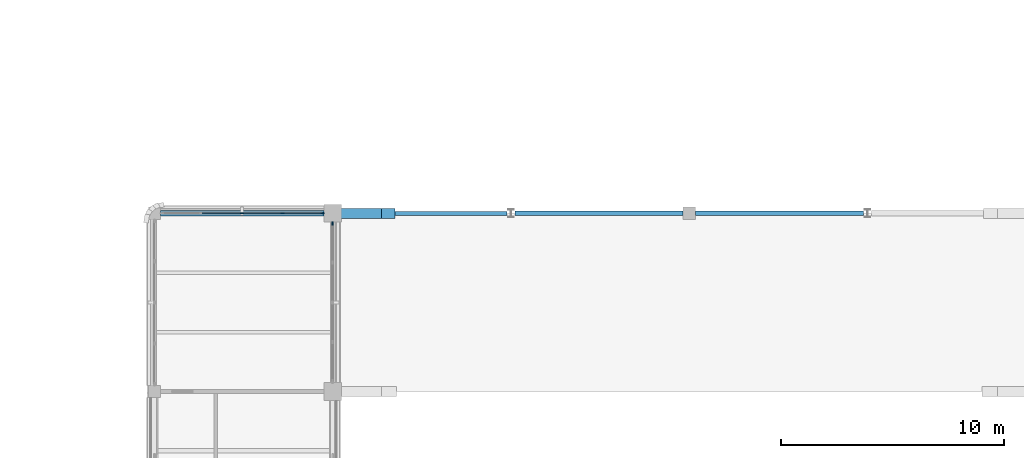
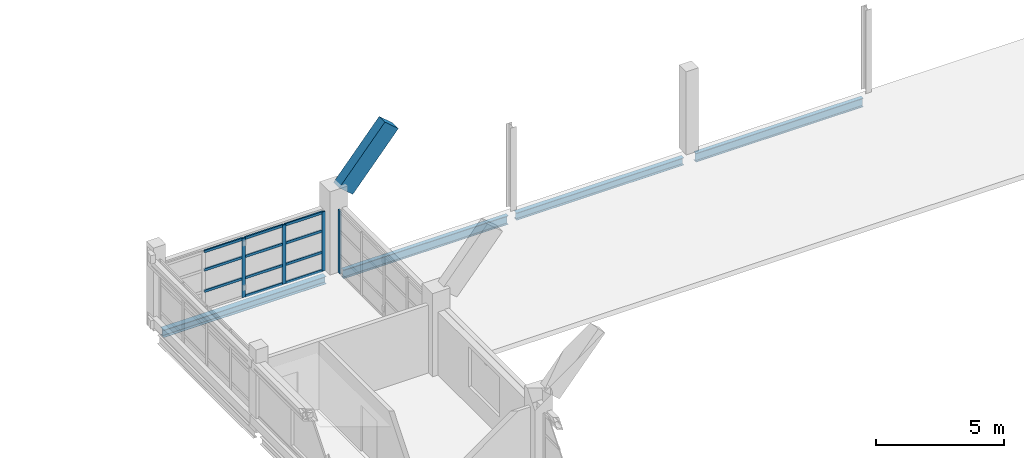
# One storey, part 31 of 92: 15 members, 5 beams, 2 elements without a shape of their own.
"""IFC4 building model written with IfcOpenShell, lengths in metres."""

from ifc_helpers import new_model, si_unit, derived_unit, direction, frame, origin, origin_2d, place, context, subcontext, project, spatial, rectangle, i_section, extrude, material, layer, layer_set, material_profile, profile_set, type_object, element, aggregate, save


model = new_model("IFC4")

# Units and contexts
model_context = context("Model", 3, precision=1e-05, world=origin(), true_north=direction((0.0, 1.0)))
body_context = subcontext(model_context, "Body", "Model", "MODEL_VIEW")
ifc_project = project(units=[si_unit("LENGTHUNIT", "METRE"), si_unit("AREAUNIT", "SQUARE_METRE"), si_unit("VOLUMEUNIT", "CUBIC_METRE"), si_unit("PLANEANGLEUNIT", "RADIAN"), si_unit("MASSUNIT", "GRAM", prefix="KILO"), derived_unit("THERMALTRANSMITTANCEUNIT", [(si_unit("MASSUNIT", "GRAM", prefix="KILO"), 1), (si_unit("TIMEUNIT", "SECOND"), -3), (si_unit("THERMODYNAMICTEMPERATUREUNIT", "KELVIN"), -1)])], contexts=[model_context])

# Site, building, storey
site_placement = place(None, origin())
site = spatial("IfcSite", under=ifc_project, at=site_placement, CompositionType="ELEMENT")
building_placement = place(site_placement, origin())
building = spatial("IfcBuilding", under=site, at=building_placement, Name="Veyamyaing Civic Hall", CompositionType="ELEMENT")
storey_placement = place(building_placement, frame((0.0, 0.0, 17.820068359375)))
storey = spatial("IfcBuildingStorey", under=building, at=storey_placement, Name="L04", CompositionType="ELEMENT", Elevation=17.820068359375)

# Beams
ifc_material_1 = material(Name="Steel ASTM A992", Category="steel")
ifc_material_profile_1 = material_profile(ifc_material_1, i_section(OverallWidth=0.179931640625, OverallDepth=0.4130859375, WebThickness=0.009765625, FlangeThickness=0.01611328125, FilletRadius=0.010009765625, at=origin_2d()), Name="W410X74")
ifc_profile_set_1 = profile_set([ifc_material_profile_1], Name="Steel ASTM A992")
beam_type_1 = type_object("IfcBeamType", Name="B-10", PredefinedType="SPANDREL", material=ifc_profile_set_1)
beam_1_placement = place(storey_placement, frame((72.39990234375, 80.0, -0.446533203125), z_axis=(1.0, 0.0, 0.0), x_axis=(0.0, 1.0, 0.0)))
element("IfcBeam", 1, at=beam_1_placement, inside=storey, type_object=beam_type_1, Name="Girder B-10 L04 Grid L 10-11", PredefinedType="SPANDREL", context=body_context, shape_type="SweptSolid", body=[
    extrude(i_section(OverallWidth=0.179931640625, OverallDepth=0.4130859375, WebThickness=0.009765625, FlangeThickness=0.01611328125, FilletRadius=0.010009765625, at=origin_2d()), origin(), (0.0, 0.0, 1.0), 7.41552734375),
])
ifc_material_profile_2 = material_profile(ifc_material_1, i_section(OverallWidth=0.2041015625, OverallDepth=0.35009765625, WebThickness=0.0078125, FlangeThickness=0.01513671875, FilletRadius=0.010009765625, at=origin_2d()), Name="W360X72")
ifc_profile_set_2 = profile_set([ifc_material_profile_2], Name="Steel ASTM A992")
beam_type_2 = type_object("IfcBeamType", Name="B-11", PredefinedType="SPANDREL", material=ifc_profile_set_2)
beam_2_placement = place(storey_placement, frame((80.1845703125, 80.0, -0.4150390625), z_axis=(1.0, 0.0, 0.0), x_axis=(0.0, 1.0, 0.0)))
element("IfcBeam", 2, at=beam_2_placement, inside=storey, type_object=beam_type_2, Name="Girder B-11 L04 Grid L 11-12", PredefinedType="SPANDREL", context=body_context, shape_type="SweptSolid", body=[
    extrude(i_section(OverallWidth=0.2041015625, OverallDepth=0.35009765625, WebThickness=0.0078125, FlangeThickness=0.01513671875, FilletRadius=0.010009765625, at=origin_2d()), origin(), (0.0, 0.0, 1.0), 7.54052734375),
])
ifc_material_profile_3 = material_profile(ifc_material_1, i_section(OverallWidth=0.180908203125, OverallDepth=0.4169921875, WebThickness=0.010986328125, FlangeThickness=0.018310546875, FilletRadius=0.010009765625, at=origin_2d()), Name="W410X85")
ifc_profile_set_3 = profile_set([ifc_material_profile_3], Name="Steel ASTM A992")
beam_type_3 = type_object("IfcBeamType", Name="B-19", PredefinedType="SPANDREL", material=ifc_profile_set_3)
beam_3_placement = place(storey_placement, frame((88.27490234375, 80.0, -0.448486328125), z_axis=(1.0, 0.0, 0.0), x_axis=(0.0, 1.0, 0.0)))
element("IfcBeam", 3, at=beam_3_placement, inside=storey, type_object=beam_type_3, Name="Girder B-19 L04 Grid L 12-13", PredefinedType="SPANDREL", context=body_context, shape_type="SweptSolid", body=[
    extrude(i_section(OverallWidth=0.180908203125, OverallDepth=0.4169921875, WebThickness=0.010986328125, FlangeThickness=0.018310546875, FilletRadius=0.010009765625, at=origin_2d()), origin(), (0.0, 0.0, 1.0), 7.54052734375),
])
ifc_material_profile_4 = material_profile(ifc_material_1, i_section(OverallWidth=0.25390625, OverallDepth=0.35302734375, WebThickness=0.009521484375, FlangeThickness=0.016357421875, FilletRadius=0.011962890625, at=origin_2d()), Name="W360X91")
ifc_profile_set_4 = profile_set([ifc_material_profile_4], Name="Steel ASTM A992")
beam_type_4 = type_object("IfcBeamType", Name="B-20", PredefinedType="SPANDREL", material=ifc_profile_set_4)
beam_4_placement = place(storey_placement, frame((64.27490234375, 80.0, -0.41162109375), z_axis=(1.0, 0.0, 0.0), x_axis=(0.0, 1.0, 0.0)))
element("IfcBeam", 4, at=beam_4_placement, inside=storey, type_object=beam_type_4, Name="Girder B-20 L04 Grid L 9-10", PredefinedType="SPANDREL", context=body_context, shape_type="SweptSolid", body=[
    extrude(i_section(OverallWidth=0.25390625, OverallDepth=0.35302734375, WebThickness=0.009521484375, FlangeThickness=0.016357421875, FilletRadius=0.011962890625, at=origin_2d()), origin(), (0.0, 0.0, 1.0), 7.3251953125),
])

# Curtain wall, members
ifc_material_2 = material(Name="Anodised aluminium 6063-T6", Category="aluminium")
ifc_layer = layer(ifc_material_2, 0.159912109375, Name="Anodised aluminium 6063-T6")
ifc_layer_set = layer_set([ifc_layer], Name="Anodised aluminium 6063-T6")
curtain_wall_type = type_object("IfcCurtainWallType", Name="CW-08", PredefinedType="NOTDEFINED", material=ifc_layer_set)
curtain_wall_1_placement = place(storey_placement, origin())
curtain_wall_1 = element("IfcCurtainWall", 5, at=curtain_wall_1_placement, inside=storey, type_object=curtain_wall_type, Name="Unitized curtain wall CW-08 L04 N 9.10", PredefinedType="NOTDEFINED")
ifc_material_profile_5 = material_profile(ifc_material_2, rectangle(XDim=0.06494140625, YDim=0.159912109375, at=origin_2d()), Name="ALU-MUL-65X160")
ifc_profile_set_5 = profile_set([ifc_material_profile_5], Name="Anodised aluminium 6063-T6")
member_type_1 = type_object("IfcMemberType", Name="CWM-01", PredefinedType="MULLION", material=ifc_profile_set_5)
member_1_placement = place(storey_placement, frame((67.9375, 80.0, 0.0), z_axis=(0.0, 0.0, 1.0), x_axis=(0.0, 1.0, 0.0)))
member_1 = element("IfcMember", 6, at=member_1_placement, type_object=member_type_1, Name="CW-08 mullion 3", PredefinedType="MULLION", context=body_context, shape_type="SweptSolid", body=[
    extrude(rectangle(XDim=0.06494140625, YDim=0.159912109375, at=origin_2d()), origin(), (0.0, 0.0, 1.0), 2.81689453125),
])
member_2_placement = place(storey_placement, frame((69.753662109375, 80.0, 0.0), z_axis=(0.0, 0.0, 1.0), x_axis=(0.0, 1.0, 0.0)))
member_2 = element("IfcMember", 7, at=member_2_placement, type_object=member_type_1, Name="CW-08 mullion 4", PredefinedType="MULLION", context=body_context, shape_type="SweptSolid", body=[
    extrude(rectangle(XDim=0.06494140625, YDim=0.159912109375, at=origin_2d()), origin(), (0.0, 0.0, 1.0), 2.81689453125),
])
member_3_placement = place(storey_placement, frame((71.53759765625, 80.0, 0.0), z_axis=(0.0, 0.0, 1.0), x_axis=(0.0, 1.0, 0.0)))
member_3 = element("IfcMember", 8, at=member_3_placement, type_object=member_type_1, Name="CW-08 mullion 5", PredefinedType="MULLION", context=body_context, shape_type="SweptSolid", body=[
    extrude(rectangle(XDim=0.06494140625, YDim=0.159912109375, at=origin_2d()), origin(), (0.0, 0.0, 1.0), 2.81689453125),
])

# Curtain wall, member
curtain_wall_2_placement = place(storey_placement, origin())
curtain_wall_2 = element("IfcCurtainWall", 9, at=curtain_wall_2_placement, inside=storey, type_object=curtain_wall_type, Name="Unitized curtain wall CW-08 L04 E 9.10", PredefinedType="NOTDEFINED")
member_4_placement = place(storey_placement, frame((72.0, 79.53759765625, 0.0), z_axis=(0.0, 0.0, 1.0), x_axis=(-1.0, 0.0, 0.0)))
member_4 = element("IfcMember", 10, at=member_4_placement, type_object=member_type_1, Name="CW-08 mullion 5", PredefinedType="MULLION", context=body_context, shape_type="SweptSolid", body=[
    extrude(rectangle(XDim=0.06494140625, YDim=0.159912109375, at=origin_2d()), origin(), (0.0, 0.0, 1.0), 3.001953125),
])
aggregate(curtain_wall_2, [member_4])

# Member
ifc_material_profile_6 = material_profile(ifc_material_2, rectangle(XDim=0.06494140625, YDim=0.1201171875, at=origin_2d()), Name="ALU-TRN-65X120")
ifc_profile_set_6 = profile_set([ifc_material_profile_6], Name="Anodised aluminium 6063-T6")
member_type_2 = type_object("IfcMemberType", Name="CWT-01", PredefinedType="USERDEFINED", material=ifc_profile_set_6)
member_5_placement = place(storey_placement, frame((66.15380859375, 80.0, 0.89990234375), z_axis=(1.0, 0.0, 0.0), x_axis=(0.0, 1.0, 0.0)))
member_5 = element("IfcMember", 11, at=member_5_placement, type_object=member_type_2, Name="CW-08 transom 2.2", ObjectType="TRANSOM", PredefinedType="USERDEFINED", context=body_context, shape_type="SweptSolid", body=[
    extrude(rectangle(XDim=0.06494140625, YDim=0.1201171875, at=origin_2d()), origin(), (0.0, 0.0, 1.0), 1.751220703125),
])

member_6_placement = place(storey_placement, frame((66.15380859375, 80.0, 1.91552734375), z_axis=(1.0, 0.0, 0.0), x_axis=(0.0, 1.0, 0.0)))
member_6 = element("IfcMember", 12, at=member_6_placement, type_object=member_type_2, Name="CW-08 transom 2.3", ObjectType="TRANSOM", PredefinedType="USERDEFINED", context=body_context, shape_type="SweptSolid", body=[
    extrude(rectangle(XDim=0.06494140625, YDim=0.1201171875, at=origin_2d()), origin(), (0.0, 0.0, 1.0), 1.751220703125),
])

member_7_placement = place(storey_placement, frame((66.15380859375, 80.0, 2.784423828125), z_axis=(1.0, 0.0, 0.0), x_axis=(0.0, 1.0, 0.0)))
member_7 = element("IfcMember", 13, at=member_7_placement, type_object=member_type_2, Name="CW-08 transom 2.4", ObjectType="TRANSOM", PredefinedType="USERDEFINED", context=body_context, shape_type="SweptSolid", body=[
    extrude(rectangle(XDim=0.06494140625, YDim=0.1201171875, at=origin_2d()), origin(), (0.0, 0.0, 1.0), 1.751220703125),
])

member_8_placement = place(storey_placement, frame((67.969970703125, 80.0, 0.032470703125), z_axis=(1.0, 0.0, 0.0), x_axis=(0.0, 1.0, 0.0)))
member_8 = element("IfcMember", 14, at=member_8_placement, type_object=member_type_2, Name="CW-08 transom 3.1", ObjectType="TRANSOM", PredefinedType="USERDEFINED", context=body_context, shape_type="SweptSolid", body=[
    extrude(rectangle(XDim=0.06494140625, YDim=0.1201171875, at=origin_2d()), origin(), (0.0, 0.0, 1.0), 1.751220703125),
])

member_9_placement = place(storey_placement, frame((67.969970703125, 80.0, 0.89990234375), z_axis=(1.0, 0.0, 0.0), x_axis=(0.0, 1.0, 0.0)))
member_9 = element("IfcMember", 15, at=member_9_placement, type_object=member_type_2, Name="CW-08 transom 3.2", ObjectType="TRANSOM", PredefinedType="USERDEFINED", context=body_context, shape_type="SweptSolid", body=[
    extrude(rectangle(XDim=0.06494140625, YDim=0.1201171875, at=origin_2d()), origin(), (0.0, 0.0, 1.0), 1.751220703125),
])

member_10_placement = place(storey_placement, frame((67.969970703125, 80.0, 1.91552734375), z_axis=(1.0, 0.0, 0.0), x_axis=(0.0, 1.0, 0.0)))
member_10 = element("IfcMember", 16, at=member_10_placement, type_object=member_type_2, Name="CW-08 transom 3.3", ObjectType="TRANSOM", PredefinedType="USERDEFINED", context=body_context, shape_type="SweptSolid", body=[
    extrude(rectangle(XDim=0.06494140625, YDim=0.1201171875, at=origin_2d()), origin(), (0.0, 0.0, 1.0), 1.751220703125),
])

member_11_placement = place(storey_placement, frame((67.969970703125, 80.0, 2.784423828125), z_axis=(1.0, 0.0, 0.0), x_axis=(0.0, 1.0, 0.0)))
member_11 = element("IfcMember", 17, at=member_11_placement, type_object=member_type_2, Name="CW-08 transom 3.4", ObjectType="TRANSOM", PredefinedType="USERDEFINED", context=body_context, shape_type="SweptSolid", body=[
    extrude(rectangle(XDim=0.06494140625, YDim=0.1201171875, at=origin_2d()), origin(), (0.0, 0.0, 1.0), 1.751220703125),
])

member_12_placement = place(storey_placement, frame((69.7861328125, 80.0, 0.032470703125), z_axis=(1.0, 0.0, 0.0), x_axis=(0.0, 1.0, 0.0)))
member_12 = element("IfcMember", 18, at=member_12_placement, type_object=member_type_2, Name="CW-08 transom 4.1", ObjectType="TRANSOM", PredefinedType="USERDEFINED", context=body_context, shape_type="SweptSolid", body=[
    extrude(rectangle(XDim=0.06494140625, YDim=0.1201171875, at=origin_2d()), origin(), (0.0, 0.0, 1.0), 1.71875),
])

member_13_placement = place(storey_placement, frame((69.7861328125, 80.0, 0.89990234375), z_axis=(1.0, 0.0, 0.0), x_axis=(0.0, 1.0, 0.0)))
member_13 = element("IfcMember", 19, at=member_13_placement, type_object=member_type_2, Name="CW-08 transom 4.2", ObjectType="TRANSOM", PredefinedType="USERDEFINED", context=body_context, shape_type="SweptSolid", body=[
    extrude(rectangle(XDim=0.06494140625, YDim=0.1201171875, at=origin_2d()), origin(), (0.0, 0.0, 1.0), 1.71875),
])

member_14_placement = place(storey_placement, frame((69.7861328125, 80.0, 1.91552734375), z_axis=(1.0, 0.0, 0.0), x_axis=(0.0, 1.0, 0.0)))
member_14 = element("IfcMember", 20, at=member_14_placement, type_object=member_type_2, Name="CW-08 transom 4.3", ObjectType="TRANSOM", PredefinedType="USERDEFINED", context=body_context, shape_type="SweptSolid", body=[
    extrude(rectangle(XDim=0.06494140625, YDim=0.1201171875, at=origin_2d()), origin(), (0.0, 0.0, 1.0), 1.71875),
])

member_15_placement = place(storey_placement, frame((69.7861328125, 80.0, 2.784423828125), z_axis=(1.0, 0.0, 0.0), x_axis=(0.0, 1.0, 0.0)))
member_15 = element("IfcMember", 21, at=member_15_placement, type_object=member_type_2, Name="CW-08 transom 4.4", ObjectType="TRANSOM", PredefinedType="USERDEFINED", context=body_context, shape_type="SweptSolid", body=[
    extrude(rectangle(XDim=0.06494140625, YDim=0.1201171875, at=origin_2d()), origin(), (0.0, 0.0, 1.0), 1.71875),
])

aggregate(curtain_wall_1, [member_1, member_2, member_3, member_5, member_6, member_7, member_8, member_9, member_10, member_11, member_12, member_13, member_14, member_15])

# Beam
ifc_material_3 = material(Name="Concrete C40/50", Category="concrete")
ifc_material_profile_7 = material_profile(ifc_material_3, rectangle(XDim=0.449951171875, YDim=0.800048828125, at=origin_2d()), Name="RC-ARCH-450X800")
ifc_profile_set_7 = profile_set([ifc_material_profile_7], Name="Concrete C40/50")
beam_type_5 = type_object("IfcBeamType", Name="VR-02", PredefinedType="BEAM", material=ifc_profile_set_7)
beam_5_placement = place(storey_placement, frame((72.4267578125, 80.0, 3.59716796875), z_axis=(0.647670737377, 0.0, 0.761920347507), x_axis=(0.0, 1.0, 0.0)))
element("IfcBeam", 22, at=beam_5_placement, inside=storey, type_object=beam_type_5, Name="Council Chamber Vault Arch Rib VR-02 R8.F1", PredefinedType="BEAM", context=body_context, shape_type="SweptSolid", body=[
    extrude(rectangle(XDim=0.449951171875, YDim=0.800048828125, at=origin_2d()), origin(), (0.0, 0.0, 1.0), 3.175537109375),
])

save(model, "model.ifc")
